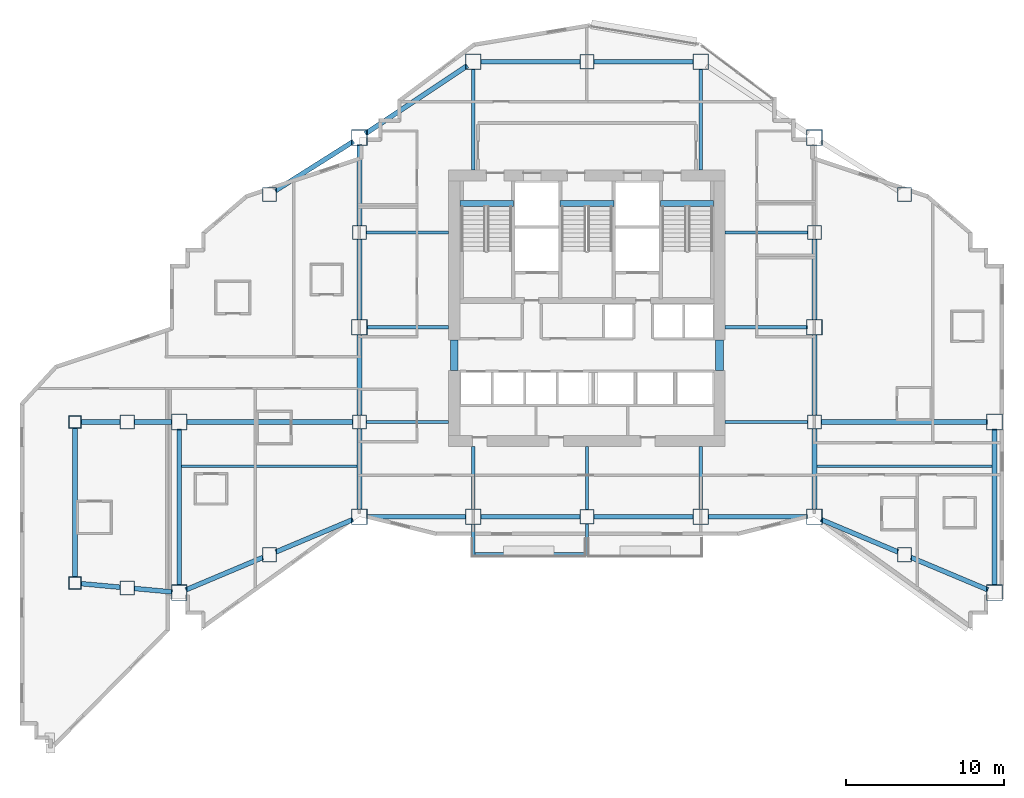
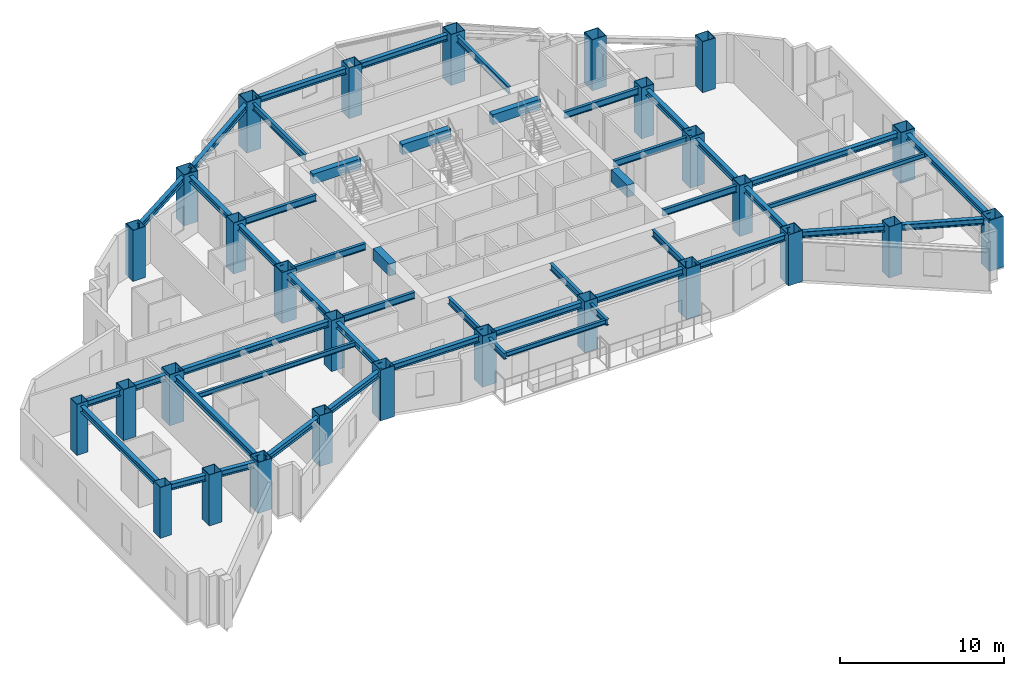
# One storey, part 1 of 14: 49 beams, 28 columns.
"""IFC4 building model written with IfcOpenShell, lengths in metres."""

from ifc_helpers import new_model, si_unit, direction, frame, origin, origin_2d, place, context, subcontext, project, spatial, rectangle, hollow_rectangle, i_section, extrude, material, material_profile, profile_set, type_object, element, save


model = new_model("IFC4")

# Units and contexts
model_context = context("Model", 3, precision=1e-05, world=origin(), true_north=direction((0.0, 1.0)))
body_context = subcontext(model_context, "Body", "Model", "MODEL_VIEW")
ifc_project = project(units=[si_unit("LENGTHUNIT", "METRE"), si_unit("AREAUNIT", "SQUARE_METRE"), si_unit("VOLUMEUNIT", "CUBIC_METRE"), si_unit("PLANEANGLEUNIT", "RADIAN"), si_unit("MASSUNIT", "GRAM", prefix="KILO")], contexts=[model_context])

# Site, building, storey
site_placement = place(None, origin())
site = spatial("IfcSite", under=ifc_project, at=site_placement, CompositionType="ELEMENT")
building_placement = place(site_placement, origin())
building = spatial("IfcBuilding", under=site, at=building_placement, Name="Haolan Belvedere Tower", CompositionType="ELEMENT")
storey_placement = place(building_placement, frame((0.0, 0.0, 109.800048828125)))
storey = spatial("IfcBuildingStorey", under=building, at=storey_placement, Name="L27", CompositionType="ELEMENT", Elevation=109.800048828125)

# Columns
ifc_material_1 = material(Name="Steel Q420GJC", Category="steel")
ifc_material_profile_1 = material_profile(ifc_material_1, hollow_rectangle(XDim=1.0, YDim=1.0, WallThickness=0.0380859375, at=origin_2d()), Name="Steel Q420GJC")
ifc_profile_set_1 = profile_set([ifc_material_profile_1], Name="Steel Q420GJC")
column_type_1 = type_object("IfcColumnType", Name="COL-BOX1000x1000x38", PredefinedType="COLUMN", material=ifc_profile_set_1)
for number, where, z_axis, x_axis, name in (
    (1, (24.0, 21.60009765625, 0.0), (0.0, 0.0, 1.0), (1.0, 0.0, 0.0), "L27 column MC-T3-SW (BOX1000x1000x38)"),
    (2, (24.0, 33.60009765625, 0.0), (0.0, 0.0, 1.0), (1.0, 0.0, 0.0), "L27 column MC-T3-MW (BOX1000x1000x38)"),
    (3, (24.0, 45.60009765625, 0.0), (0.0, 0.0, 1.0), (1.0, 0.0, 0.0), "L27 column MC-T3-NW (BOX1000x1000x38)"),
    (4, (52.800048828125, 21.60009765625, 0.0), (0.0, 0.0, 1.0), (1.0, 0.0, 0.0), "L27 column MC-T3-SE (BOX1000x1000x38)"),
    (5, (52.800048828125, 33.60009765625, 0.0), (0.0, 0.0, 1.0), (1.0, 0.0, 0.0), "L27 column MC-T3-ME (BOX1000x1000x38)"),
    (6, (52.800048828125, 45.60009765625, 0.0), (0.0, 0.0, 1.0), (1.0, 0.0, 0.0), "L27 column MC-T3-NE (BOX1000x1000x38)"),
    (7, (31.199951171875, 21.60009765625, 0.0), (0.0, 0.0, 1.0), (1.0, 0.0, 0.0), "L27 column MC-T3-S1 (BOX1000x1000x38)"),
    (8, (45.60009765625, 21.60009765625, 0.0), (0.0, 0.0, 1.0), (1.0, 0.0, 0.0), "L27 column MC-T3-S2 (BOX1000x1000x38)"),
    (9, (31.199951171875, 50.39990234375, 0.0), (0.0, 0.0, 1.0), (1.0, 0.0, 0.0), "L27 column MC-T3-N1 (BOX1000x1000x38)"),
    (10, (45.60009765625, 50.39990234375, 0.0), (0.0, 0.0, 1.0), (1.0, 0.0, 0.0), "L27 column MC-T3-N2 (BOX1000x1000x38)"),
    (11, (12.60009765625, 16.800048828125, 0.0), (0.0, 0.0, 1.0), (1.0, 0.0, 0.0), "L27 column MC-T2-SW (BOX1000x1000x38)"),
    (12, (12.60009765625, 27.60009765625, 0.0), (0.0, 0.0, 1.0), (1.0, 0.0, 0.0), "L27 column MC-T2-MW (BOX1000x1000x38)"),
    (13, (64.199951171875, 16.800048828125, 0.0), (0.0, 0.0, 1.0), (1.0, 0.0, 0.0), "L27 column MC-T4-SE (BOX1000x1000x38)"),
    (14, (64.199951171875, 27.60009765625, 0.0), (0.0, 0.0, 1.0), (1.0, 0.0, 0.0), "L27 column MC-T4-ME (BOX1000x1000x38)"),
):
    element("IfcColumn", number, at=place(storey_placement, frame(where, z_axis=z_axis, x_axis=x_axis)), inside=storey, type_object=column_type_1, Name=name, PredefinedType="COLUMN", context=body_context, shape_type="SweptSolid", body=[
        extrude(hollow_rectangle(XDim=1.0, YDim=1.0, WallThickness=0.0380859375, at=origin_2d()), origin(), (0.0, 0.0, 1.0), 3.800048828125),
    ])
ifc_material_2 = material(Name="Steel Q390GJC", Category="steel")
ifc_material_profile_2 = material_profile(ifc_material_2, hollow_rectangle(XDim=0.800048828125, YDim=0.800048828125, WallThickness=0.030029296875, at=origin_2d()), Name="Steel Q390GJC")
ifc_profile_set_2 = profile_set([ifc_material_profile_2], Name="Steel Q390GJC")
column_type_2 = type_object("IfcColumnType", Name="COL-BOX800x800x30", PredefinedType="COLUMN", material=ifc_profile_set_2)
for number, where, z_axis, x_axis, name in (
    (15, (6.0, 17.39990234375, 0.0), (0.0, 0.0, 1.0), (1.0, 0.0, 0.0), "L27 column MC-T1-SW (BOX800x800x30)"),
    (16, (6.0, 27.60009765625, 0.0), (0.0, 0.0, 1.0), (1.0, 0.0, 0.0), "L27 column MC-T1-NW (BOX800x800x30)"),
):
    element("IfcColumn", number, at=place(storey_placement, frame(where, z_axis=z_axis, x_axis=x_axis)), inside=storey, type_object=column_type_2, Name=name, PredefinedType="COLUMN", context=body_context, shape_type="SweptSolid", body=[
        extrude(hollow_rectangle(XDim=0.800048828125, YDim=0.800048828125, WallThickness=0.030029296875, at=origin_2d()), origin(), (0.0, 0.0, 1.0), 3.800048828125),
    ])
ifc_material_profile_3 = material_profile(ifc_material_2, hollow_rectangle(XDim=0.89990234375, YDim=0.89990234375, WallThickness=0.033935546875, at=origin_2d()), Name="Steel Q390GJC")
ifc_profile_set_3 = profile_set([ifc_material_profile_3], Name="Steel Q390GJC")
column_type_3 = type_object("IfcColumnType", Name="COL-BOX900x900x34", PredefinedType="COLUMN", material=ifc_profile_set_3)
for number, where, z_axis, x_axis, name in (
    (17, (24.0, 27.60009765625, 0.0), (0.0, 0.0, 1.0), (1.0, 0.0, 0.0), "L27 column TC-T3-W1 (BOX900x900x34)"),
    (18, (24.0, 39.60009765625, 0.0), (0.0, 0.0, 1.0), (1.0, 0.0, 0.0), "L27 column TC-T3-W2 (BOX900x900x34)"),
    (19, (52.800048828125, 27.60009765625, 0.0), (0.0, 0.0, 1.0), (1.0, 0.0, 0.0), "L27 column TC-T3-E1 (BOX900x900x34)"),
    (20, (52.800048828125, 39.60009765625, 0.0), (0.0, 0.0, 1.0), (1.0, 0.0, 0.0), "L27 column TC-T3-E2 (BOX900x900x34)"),
    (21, (38.39990234375, 21.60009765625, 0.0), (0.0, 0.0, 1.0), (1.0, 0.0, 0.0), "L27 column TC-T3-SM (BOX900x900x34)"),
    (22, (38.39990234375, 50.39990234375, 0.0), (0.0, 0.0, 1.0), (1.0, 0.0, 0.0), "L27 column TC-T3-NM (BOX900x900x34)"),
    (23, (18.300048828125, 19.199951171875, 0.0), (0.0, 0.0, 1.0), (1.0, 0.0, 0.0), "L27 column TC-T2-S1 (BOX900x900x34)"),
    (24, (18.300048828125, 42.0, 0.0), (0.0, 0.0, 1.0), (1.0, 0.0, 0.0), "L27 column TC-T2-N1 (BOX900x900x34)"),
    (25, (58.5, 19.199951171875, 0.0), (0.0, 0.0, 1.0), (1.0, 0.0, 0.0), "L27 column TC-T4-S1 (BOX900x900x34)"),
    (26, (58.5, 42.0, 0.0), (0.0, 0.0, 1.0), (1.0, 0.0, 0.0), "L27 column TC-T4-N1 (BOX900x900x34)"),
    (27, (9.300048828125, 17.10009765625, 0.0), (0.0, 0.0, 1.0), (1.0, 0.0, 0.0), "L27 column TC-T1-M1 (BOX900x900x34)"),
    (28, (9.300048828125, 27.60009765625, 0.0), (0.0, 0.0, 1.0), (1.0, 0.0, 0.0), "L27 column TC-T1-M2 (BOX900x900x34)"),
):
    element("IfcColumn", number, at=place(storey_placement, frame(where, z_axis=z_axis, x_axis=x_axis)), inside=storey, type_object=column_type_3, Name=name, PredefinedType="COLUMN", context=body_context, shape_type="SweptSolid", body=[
        extrude(hollow_rectangle(XDim=0.89990234375, YDim=0.89990234375, WallThickness=0.033935546875, at=origin_2d()), origin(), (0.0, 0.0, 1.0), 3.800048828125),
    ])

# Beams
ifc_material_3 = material(Name="Steel Q355B", Category="steel")
ifc_material_profile_4 = material_profile(ifc_material_3, i_section(OverallWidth=0.300048828125, OverallDepth=0.43994140625, WebThickness=0.010986328125, FlangeThickness=0.01806640625, FilletRadius=0.02392578125, at=origin_2d()), Name="Steel Q355B")
ifc_profile_set_4 = profile_set([ifc_material_profile_4], Name="Steel Q355B")
beam_type_1 = type_object("IfcBeamType", Name="BM-HM440x300x11x18", PredefinedType="SPANDREL", material=ifc_profile_set_4)
for number, where, z_axis, x_axis, name in (
    (29, (24.0, 22.050048828125, 3.3798828125), (0.0, 1.0, 0.0), (-1.0, 0.0, 0.0), "L27 spandrel girder MC-T3-SW-TC-T3-W1"),
    (30, (24.0, 28.050048828125, 3.3798828125), (0.0, 1.0, 0.0), (-1.0, 0.0, 0.0), "L27 spandrel girder TC-T3-W1-MC-T3-MW"),
    (31, (24.0, 34.050048828125, 3.3798828125), (0.0, 1.0, 0.0), (-1.0, 0.0, 0.0), "L27 spandrel girder MC-T3-MW-TC-T3-W2"),
    (32, (24.0, 40.050048828125, 3.3798828125), (0.0, 1.0, 0.0), (-1.0, 0.0, 0.0), "L27 spandrel girder TC-T3-W2-MC-T3-NW"),
    (33, (52.800048828125, 22.050048828125, 3.3798828125), (0.0, 1.0, 0.0), (-1.0, 0.0, 0.0), "L27 spandrel girder MC-T3-SE-TC-T3-E1"),
    (34, (52.800048828125, 28.050048828125, 3.3798828125), (0.0, 1.0, 0.0), (-1.0, 0.0, 0.0), "L27 spandrel girder TC-T3-E1-MC-T3-ME"),
    (35, (52.800048828125, 34.050048828125, 3.3798828125), (0.0, 1.0, 0.0), (-1.0, 0.0, 0.0), "L27 spandrel girder MC-T3-ME-TC-T3-E2"),
):
    element("IfcBeam", number, at=place(storey_placement, frame(where, z_axis=z_axis, x_axis=x_axis)), inside=storey, type_object=beam_type_1, Name=name, PredefinedType="SPANDREL", context=body_context, shape_type="SweptSolid", body=[
        extrude(i_section(OverallWidth=0.300048828125, OverallDepth=0.43994140625, WebThickness=0.010986328125, FlangeThickness=0.01806640625, FilletRadius=0.02392578125, at=origin_2d()), origin(), (0.0, 0.0, 1.0), 5.099853515625),
    ])
for number, where, z_axis, x_axis, name in (
    (36, (24.449951171875, 21.60009765625, 3.3798828125), (1.0, 0.0, 0.0), (0.0, 1.0, 0.0), "L27 spandrel girder MC-T3-SW-MC-T3-S1"),
    (37, (31.64990234375, 21.60009765625, 3.3798828125), (1.0, 0.0, 0.0), (0.0, 1.0, 0.0), "L27 spandrel girder MC-T3-S1-TC-T3-SM"),
):
    element("IfcBeam", number, at=place(storey_placement, frame(where, z_axis=z_axis, x_axis=x_axis)), inside=storey, type_object=beam_type_1, Name=name, PredefinedType="SPANDREL", context=body_context, shape_type="SweptSolid", body=[
        extrude(i_section(OverallWidth=0.300048828125, OverallDepth=0.43994140625, WebThickness=0.010986328125, FlangeThickness=0.01806640625, FilletRadius=0.02392578125, at=origin_2d()), origin(), (0.0, 0.0, 1.0), 6.300048828125),
    ])
beam_1_placement = place(storey_placement, frame((38.85009765625, 21.60009765625, 3.3798828125), z_axis=(1.0, 0.0, 0.0), x_axis=(0.0, 1.0, 0.0)))
element("IfcBeam", 38, at=beam_1_placement, inside=storey, type_object=beam_type_1, Name="L27 spandrel girder TC-T3-SM-MC-T3-S2", PredefinedType="SPANDREL", context=body_context, shape_type="SweptSolid", body=[
    extrude(i_section(OverallWidth=0.300048828125, OverallDepth=0.43994140625, WebThickness=0.010986328125, FlangeThickness=0.01806640625, FilletRadius=0.02392578125, at=origin_2d()), origin(), (0.0, 0.0, 1.0), 6.2998046875),
])
beam_2_placement = place(storey_placement, frame((46.050048828125, 21.60009765625, 3.3798828125), z_axis=(1.0, 0.0, 0.0), x_axis=(0.0, 1.0, 0.0)))
element("IfcBeam", 39, at=beam_2_placement, inside=storey, type_object=beam_type_1, Name="L27 spandrel girder MC-T3-S2-MC-T3-SE", PredefinedType="SPANDREL", context=body_context, shape_type="SweptSolid", body=[
    extrude(i_section(OverallWidth=0.300048828125, OverallDepth=0.43994140625, WebThickness=0.010986328125, FlangeThickness=0.01806640625, FilletRadius=0.02392578125, at=origin_2d()), origin(), (0.0, 0.0, 1.0), 6.300048828125),
])
beam_3_placement = place(storey_placement, frame((24.37451171875, 45.849609375, 3.3798828125), z_axis=(0.832050294338, 0.554700196225, 0.0), x_axis=(-0.554700196225, 0.832050294338, 0.0)))
element("IfcBeam", 40, at=beam_3_placement, inside=storey, type_object=beam_type_1, Name="L27 spandrel girder MC-T3-NW-MC-T3-N1", PredefinedType="SPANDREL", context=body_context, shape_type="SweptSolid", body=[
    extrude(i_section(OverallWidth=0.300048828125, OverallDepth=0.43994140625, WebThickness=0.010986328125, FlangeThickness=0.01806640625, FilletRadius=0.02392578125, at=origin_2d()), origin(), (0.0, 0.0, 1.0), 7.75341796875),
])
beam_4_placement = place(storey_placement, frame((31.64990234375, 50.39990234375, 3.3798828125), z_axis=(1.0, 0.0, 0.0), x_axis=(0.0, 1.0, 0.0)))
element("IfcBeam", 41, at=beam_4_placement, inside=storey, type_object=beam_type_1, Name="L27 spandrel girder MC-T3-N1-TC-T3-NM", PredefinedType="SPANDREL", context=body_context, shape_type="SweptSolid", body=[
    extrude(i_section(OverallWidth=0.300048828125, OverallDepth=0.43994140625, WebThickness=0.010986328125, FlangeThickness=0.01806640625, FilletRadius=0.02392578125, at=origin_2d()), origin(), (0.0, 0.0, 1.0), 6.300048828125),
])
beam_5_placement = place(storey_placement, frame((38.85009765625, 50.39990234375, 3.3798828125), z_axis=(1.0, 0.0, 0.0), x_axis=(0.0, 1.0, 0.0)))
element("IfcBeam", 42, at=beam_5_placement, inside=storey, type_object=beam_type_1, Name="L27 spandrel girder TC-T3-NM-MC-T3-N2", PredefinedType="SPANDREL", context=body_context, shape_type="SweptSolid", body=[
    extrude(i_section(OverallWidth=0.300048828125, OverallDepth=0.43994140625, WebThickness=0.010986328125, FlangeThickness=0.01806640625, FilletRadius=0.02392578125, at=origin_2d()), origin(), (0.0, 0.0, 1.0), 6.2998046875),
])
beam_6_placement = place(storey_placement, frame((12.60009765625, 17.25, 3.3798828125), z_axis=(0.0, 1.0, 0.0), x_axis=(-1.0, 0.0, 0.0)))
element("IfcBeam", 43, at=beam_6_placement, inside=storey, type_object=beam_type_1, Name="L27 spandrel girder MC-T2-SW-MC-T2-MW", PredefinedType="SPANDREL", context=body_context, shape_type="SweptSolid", body=[
    extrude(i_section(OverallWidth=0.300048828125, OverallDepth=0.43994140625, WebThickness=0.010986328125, FlangeThickness=0.01806640625, FilletRadius=0.02392578125, at=origin_2d()), origin(), (0.0, 0.0, 1.0), 9.89990234375),
])
beam_7_placement = place(storey_placement, frame((13.0146484375, 16.974609375, 3.3798828125), z_axis=(0.921635375138, 0.388057000058, 0.0), x_axis=(-0.388057000058, 0.921635375138, 0.0)))
element("IfcBeam", 44, at=beam_7_placement, inside=storey, type_object=beam_type_1, Name="L27 spandrel girder MC-T2-SW-TC-T2-S1", PredefinedType="SPANDREL", context=body_context, shape_type="SweptSolid", body=[
    extrude(i_section(OverallWidth=0.300048828125, OverallDepth=0.43994140625, WebThickness=0.010986328125, FlangeThickness=0.01806640625, FilletRadius=0.02392578125, at=origin_2d()), origin(), (0.0, 0.0, 1.0), 5.28466796875),
])
beam_8_placement = place(storey_placement, frame((18.71484375, 19.37451171875, 3.3798828125), z_axis=(0.92162841793, 0.388073523014, 0.0), x_axis=(-0.388073523014, 0.92162841793, 0.0)))
element("IfcBeam", 45, at=beam_8_placement, inside=storey, type_object=beam_type_1, Name="L27 spandrel girder TC-T2-S1-MC-T3-SW", PredefinedType="SPANDREL", context=body_context, shape_type="SweptSolid", body=[
    extrude(i_section(OverallWidth=0.300048828125, OverallDepth=0.43994140625, WebThickness=0.010986328125, FlangeThickness=0.01806640625, FilletRadius=0.02392578125, at=origin_2d()), origin(), (0.0, 0.0, 1.0), 5.284423828125),
])
beam_9_placement = place(storey_placement, frame((18.680419921875, 42.240234375, 3.3798828125), z_axis=(0.845497840649, 0.533978839898, 0.0), x_axis=(-0.533978839898, 0.845497840649, 0.0)))
element("IfcBeam", 46, at=beam_9_placement, inside=storey, type_object=beam_type_1, Name="L27 spandrel girder TC-T2-N1-MC-T3-NW", PredefinedType="SPANDREL", context=body_context, shape_type="SweptSolid", body=[
    extrude(i_section(OverallWidth=0.300048828125, OverallDepth=0.43994140625, WebThickness=0.010986328125, FlangeThickness=0.01806640625, FilletRadius=0.02392578125, at=origin_2d()), origin(), (0.0, 0.0, 1.0), 5.841796875),
])
beam_10_placement = place(storey_placement, frame((13.050048828125, 27.60009765625, 3.3798828125), z_axis=(1.0, 0.0, 0.0), x_axis=(0.0, 1.0, 0.0)))
element("IfcBeam", 47, at=beam_10_placement, inside=storey, type_object=beam_type_1, Name="L27 spandrel girder MC-T2-MW-TC-T3-W1", PredefinedType="SPANDREL", context=body_context, shape_type="SweptSolid", body=[
    extrude(i_section(OverallWidth=0.300048828125, OverallDepth=0.43994140625, WebThickness=0.010986328125, FlangeThickness=0.01806640625, FilletRadius=0.02392578125, at=origin_2d()), origin(), (0.0, 0.0, 1.0), 10.5),
])
beam_11_placement = place(storey_placement, frame((64.199951171875, 17.25, 3.3798828125), z_axis=(0.0, 1.0, 0.0), x_axis=(-1.0, 0.0, 0.0)))
element("IfcBeam", 48, at=beam_11_placement, inside=storey, type_object=beam_type_1, Name="L27 spandrel girder MC-T4-SE-MC-T4-ME", PredefinedType="SPANDREL", context=body_context, shape_type="SweptSolid", body=[
    extrude(i_section(OverallWidth=0.300048828125, OverallDepth=0.43994140625, WebThickness=0.010986328125, FlangeThickness=0.01806640625, FilletRadius=0.02392578125, at=origin_2d()), origin(), (0.0, 0.0, 1.0), 9.89990234375),
])
for number, where, z_axis, x_axis, name in (
    (49, (53.21484375, 21.42529296875, 3.3798828125), (0.92162841793, -0.388073523014, 0.0), (0.388073523014, 0.92162841793, 0.0), "L27 spandrel girder MC-T3-SE-TC-T4-S1"),
    (50, (58.914794921875, 19.025390625, 3.3798828125), (0.92162841793, -0.388073523014, 0.0), (0.388073523014, 0.92162841793, 0.0), "L27 spandrel girder TC-T4-S1-MC-T4-SE"),
):
    element("IfcBeam", number, at=place(storey_placement, frame(where, z_axis=z_axis, x_axis=x_axis)), inside=storey, type_object=beam_type_1, Name=name, PredefinedType="SPANDREL", context=body_context, shape_type="SweptSolid", body=[
        extrude(i_section(OverallWidth=0.300048828125, OverallDepth=0.43994140625, WebThickness=0.010986328125, FlangeThickness=0.01806640625, FilletRadius=0.02392578125, at=origin_2d()), origin(), (0.0, 0.0, 1.0), 5.284423828125),
    ])
beam_12_placement = place(storey_placement, frame((53.25, 27.60009765625, 3.3798828125), z_axis=(1.0, 0.0, 0.0), x_axis=(0.0, 1.0, 0.0)))
element("IfcBeam", 51, at=beam_12_placement, inside=storey, type_object=beam_type_1, Name="L27 spandrel girder TC-T3-E1-MC-T4-ME", PredefinedType="SPANDREL", context=body_context, shape_type="SweptSolid", body=[
    extrude(i_section(OverallWidth=0.300048828125, OverallDepth=0.43994140625, WebThickness=0.010986328125, FlangeThickness=0.01806640625, FilletRadius=0.02392578125, at=origin_2d()), origin(), (0.0, 0.0, 1.0), 10.5),
])
beam_13_placement = place(storey_placement, frame((6.0, 17.800048828125, 3.3798828125), z_axis=(0.0, 1.0, 0.0), x_axis=(-1.0, 0.0, 0.0)))
element("IfcBeam", 52, at=beam_13_placement, inside=storey, type_object=beam_type_1, Name="L27 spandrel girder MC-T1-SW-MC-T1-NW", PredefinedType="SPANDREL", context=body_context, shape_type="SweptSolid", body=[
    extrude(i_section(OverallWidth=0.300048828125, OverallDepth=0.43994140625, WebThickness=0.010986328125, FlangeThickness=0.01806640625, FilletRadius=0.02392578125, at=origin_2d()), origin(), (0.0, 0.0, 1.0), 9.39990234375),
])
beam_14_placement = place(storey_placement, frame((6.3984375, 17.36376953125, 3.3798828125), z_axis=(0.995889143855, -0.090580423672, 0.0), x_axis=(0.090580423672, 0.995889143855, 0.0)))
element("IfcBeam", 53, at=beam_14_placement, inside=storey, type_object=beam_type_1, Name="L27 spandrel girder MC-T1-SW-TC-T1-M1", PredefinedType="SPANDREL", context=body_context, shape_type="SweptSolid", body=[
    extrude(i_section(OverallWidth=0.300048828125, OverallDepth=0.43994140625, WebThickness=0.010986328125, FlangeThickness=0.01806640625, FilletRadius=0.02392578125, at=origin_2d()), origin(), (0.0, 0.0, 1.0), 2.46337890625),
])
beam_15_placement = place(storey_placement, frame((9.748046875, 17.059326171875, 3.3798828125), z_axis=(0.9958940355, -0.090526626221, 0.0), x_axis=(0.090526626221, 0.9958940355, 0.0)))
element("IfcBeam", 54, at=beam_15_placement, inside=storey, type_object=beam_type_1, Name="L27 spandrel girder TC-T1-M1-MC-T2-SW", PredefinedType="SPANDREL", context=body_context, shape_type="SweptSolid", body=[
    extrude(i_section(OverallWidth=0.300048828125, OverallDepth=0.43994140625, WebThickness=0.010986328125, FlangeThickness=0.01806640625, FilletRadius=0.02392578125, at=origin_2d()), origin(), (0.0, 0.0, 1.0), 2.413818359375),
])
beam_16_placement = place(storey_placement, frame((6.39990234375, 27.60009765625, 3.3798828125), z_axis=(1.0, 0.0, 0.0), x_axis=(0.0, 1.0, 0.0)))
element("IfcBeam", 55, at=beam_16_placement, inside=storey, type_object=beam_type_1, Name="L27 spandrel girder MC-T1-NW-TC-T1-M2", PredefinedType="SPANDREL", context=body_context, shape_type="SweptSolid", body=[
    extrude(i_section(OverallWidth=0.300048828125, OverallDepth=0.43994140625, WebThickness=0.010986328125, FlangeThickness=0.01806640625, FilletRadius=0.02392578125, at=origin_2d()), origin(), (0.0, 0.0, 1.0), 2.4501953125),
])
beam_17_placement = place(storey_placement, frame((9.75, 27.60009765625, 3.3798828125), z_axis=(1.0, 0.0, 0.0), x_axis=(0.0, 1.0, 0.0)))
element("IfcBeam", 56, at=beam_17_placement, inside=storey, type_object=beam_type_1, Name="L27 spandrel girder TC-T1-M2-MC-T2-MW", PredefinedType="SPANDREL", context=body_context, shape_type="SweptSolid", body=[
    extrude(i_section(OverallWidth=0.300048828125, OverallDepth=0.43994140625, WebThickness=0.010986328125, FlangeThickness=0.01806640625, FilletRadius=0.02392578125, at=origin_2d()), origin(), (0.0, 0.0, 1.0), 2.39990234375),
])
ifc_material_profile_5 = material_profile(ifc_material_3, i_section(OverallWidth=0.175048828125, OverallDepth=0.35009765625, WebThickness=0.007080078125, FlangeThickness=0.010986328125, FilletRadius=0.012939453125, at=origin_2d()), Name="Steel Q355B")
ifc_profile_set_5 = profile_set([ifc_material_profile_5], Name="Steel Q355B")
beam_type_2 = type_object("IfcBeamType", Name="BM-HN350x175x7x11", PredefinedType="JOIST", material=ifc_profile_set_5)
for number, where, z_axis, x_axis, name in (
    (57, (12.75, 24.800048828125, 3.425048828125), (1.0, 0.0, 0.0), (0.0, 1.0, 0.0), "L27 west wing floor joist 1"),
    (58, (52.949951171875, 24.800048828125, 3.425048828125), (1.0, 0.0, 0.0), (0.0, 1.0, 0.0), "L27 east wing floor joist 1"),
):
    element("IfcBeam", number, at=place(storey_placement, frame(where, z_axis=z_axis, x_axis=x_axis)), inside=storey, type_object=beam_type_2, Name=name, PredefinedType="JOIST", context=body_context, shape_type="SweptSolid", body=[
        extrude(i_section(OverallWidth=0.175048828125, OverallDepth=0.35009765625, WebThickness=0.007080078125, FlangeThickness=0.010986328125, FilletRadius=0.012939453125, at=origin_2d()), origin(), (0.0, 0.0, 1.0), 11.10009765625),
    ])
beam_18_placement = place(storey_placement, frame((31.300048828125, 19.239990234375, 3.39501953125), z_axis=(1.0, 0.0, 0.0), x_axis=(0.0, 1.0, 0.0)))
element("IfcBeam", 59, at=beam_18_placement, inside=storey, type_object=beam_type_2, Name="L28 tree-balcony front trimmer beam 1", PredefinedType="BEAM", context=body_context, shape_type="SweptSolid", body=[
    extrude(i_section(OverallWidth=0.175048828125, OverallDepth=0.35009765625, WebThickness=0.007080078125, FlangeThickness=0.010986328125, FilletRadius=0.012939453125, at=origin_2d()), origin(), (0.0, 0.0, 1.0), 7.0),
])
ifc_material_profile_6 = material_profile(ifc_material_3, i_section(OverallWidth=0.199951171875, OverallDepth=0.449951171875, WebThickness=0.009033203125, FlangeThickness=0.013916015625, FilletRadius=0.01611328125, at=origin_2d()), Name="Steel Q355B")
ifc_profile_set_6 = profile_set([ifc_material_profile_6], Name="Steel Q355B")
beam_type_3 = type_object("IfcBeamType", Name="BM-HN450x200x9x14", PredefinedType="BEAM", material=ifc_profile_set_6)
beam_19_placement = place(storey_placement, frame((31.199951171875, 21.10009765625, 3.344970703125), z_axis=(0.0, -1.0, 0.0), x_axis=(1.0, 0.0, 0.0)))
element("IfcBeam", 60, at=beam_19_placement, inside=storey, type_object=beam_type_3, Name="L28 tree-balcony column cantilever MC-T3-S1", PredefinedType="BEAM", context=body_context, shape_type="SweptSolid", body=[
    extrude(i_section(OverallWidth=0.199951171875, OverallDepth=0.449951171875, WebThickness=0.009033203125, FlangeThickness=0.013916015625, FilletRadius=0.01611328125, at=origin_2d()), origin(), (0.0, 0.0, 1.0), 1.960205078125),
])
beam_20_placement = place(storey_placement, frame((38.39990234375, 21.14990234375, 3.344970703125), z_axis=(0.0, -1.0, 0.0), x_axis=(1.0, 0.0, 0.0)))
element("IfcBeam", 61, at=beam_20_placement, inside=storey, type_object=beam_type_3, Name="L28 tree-balcony column cantilever TC-T3-SM", PredefinedType="BEAM", context=body_context, shape_type="SweptSolid", body=[
    extrude(i_section(OverallWidth=0.199951171875, OverallDepth=0.449951171875, WebThickness=0.009033203125, FlangeThickness=0.013916015625, FilletRadius=0.01611328125, at=origin_2d()), origin(), (0.0, 0.0, 1.0), 2.010009765625),
])
ifc_material_profile_7 = material_profile(ifc_material_3, i_section(OverallWidth=0.199951171875, OverallDepth=0.5, WebThickness=0.010009765625, FlangeThickness=0.01611328125, FilletRadius=0.02001953125, at=origin_2d()), Name="Steel Q355B")
ifc_profile_set_7 = profile_set([ifc_material_profile_7], Name="Steel Q355B")
beam_type_4 = type_object("IfcBeamType", Name="BM-HN500x200x10x16", PredefinedType="BEAM", material=ifc_profile_set_7)
for number, where, z_axis, x_axis, name in (
    (62, (24.449951171875, 33.60009765625, 3.349853515625), (1.0, 0.0, 0.0), (0.0, 1.0, 0.0), "L27 core tie beam from MC-T3-MW"),
    (63, (24.449951171875, 27.60009765625, 3.349853515625), (1.0, 0.0, 0.0), (0.0, 1.0, 0.0), "L27 core tie beam from TC-T3-W1"),
    (64, (24.449951171875, 39.60009765625, 3.349853515625), (1.0, 0.0, 0.0), (0.0, 1.0, 0.0), "L27 core tie beam from TC-T3-W2"),
):
    element("IfcBeam", number, at=place(storey_placement, frame(where, z_axis=z_axis, x_axis=x_axis)), inside=storey, type_object=beam_type_4, Name=name, PredefinedType="BEAM", context=body_context, shape_type="SweptSolid", body=[
        extrude(i_section(OverallWidth=0.199951171875, OverallDepth=0.5, WebThickness=0.010009765625, FlangeThickness=0.01611328125, FilletRadius=0.02001953125, at=origin_2d()), origin(), (0.0, 0.0, 1.0), 5.199951171875),
    ])
for number, where, z_axis, x_axis, name in (
    (65, (52.35009765625, 33.60009765625, 3.349853515625), (-1.0, 0.0, 0.0), (0.0, -1.0, 0.0), "L27 core tie beam from MC-T3-ME"),
    (66, (52.35009765625, 27.60009765625, 3.349853515625), (-1.0, 0.0, 0.0), (0.0, -1.0, 0.0), "L27 core tie beam from TC-T3-E1"),
    (67, (52.35009765625, 39.60009765625, 3.349853515625), (-1.0, 0.0, 0.0), (0.0, -1.0, 0.0), "L27 core tie beam from TC-T3-E2"),
):
    element("IfcBeam", number, at=place(storey_placement, frame(where, z_axis=z_axis, x_axis=x_axis)), inside=storey, type_object=beam_type_4, Name=name, PredefinedType="BEAM", context=body_context, shape_type="SweptSolid", body=[
        extrude(i_section(OverallWidth=0.199951171875, OverallDepth=0.5, WebThickness=0.010009765625, FlangeThickness=0.01611328125, FilletRadius=0.02001953125, at=origin_2d()), origin(), (0.0, 0.0, 1.0), 5.2001953125),
    ])
for number, where, z_axis, x_axis, name in (
    (68, (31.199951171875, 22.050048828125, 3.349853515625), (0.0, 1.0, 0.0), (-1.0, 0.0, 0.0), "L27 core tie beam from MC-T3-S1"),
    (69, (38.39990234375, 22.050048828125, 3.349853515625), (0.0, 1.0, 0.0), (-1.0, 0.0, 0.0), "L27 core tie beam from TC-T3-SM"),
    (70, (45.60009765625, 22.050048828125, 3.349853515625), (0.0, 1.0, 0.0), (-1.0, 0.0, 0.0), "L27 core tie beam from MC-T3-S2"),
):
    element("IfcBeam", number, at=place(storey_placement, frame(where, z_axis=z_axis, x_axis=x_axis)), inside=storey, type_object=beam_type_4, Name=name, PredefinedType="BEAM", context=body_context, shape_type="SweptSolid", body=[
        extrude(i_section(OverallWidth=0.199951171875, OverallDepth=0.5, WebThickness=0.010009765625, FlangeThickness=0.01611328125, FilletRadius=0.02001953125, at=origin_2d()), origin(), (0.0, 0.0, 1.0), 4.0),
    ])
for number, where, z_axis, x_axis, name in (
    (71, (31.199951171875, 49.949951171875, 3.349853515625), (0.0, -1.0, 0.0), (1.0, 0.0, 0.0), "L27 core tie beam from MC-T3-N1"),
    (72, (45.60009765625, 49.949951171875, 3.349853515625), (0.0, -1.0, 0.0), (1.0, 0.0, 0.0), "L27 core tie beam from MC-T3-N2"),
):
    element("IfcBeam", number, at=place(storey_placement, frame(where, z_axis=z_axis, x_axis=x_axis)), inside=storey, type_object=beam_type_4, Name=name, PredefinedType="BEAM", context=body_context, shape_type="SweptSolid", body=[
        extrude(i_section(OverallWidth=0.199951171875, OverallDepth=0.5, WebThickness=0.010009765625, FlangeThickness=0.01611328125, FilletRadius=0.02001953125, at=origin_2d()), origin(), (0.0, 0.0, 1.0), 6.39990234375),
    ])
ifc_material_4 = material(Name="Concrete C50/60", Category="concrete")
ifc_material_profile_8 = material_profile(ifc_material_4, rectangle(XDim=0.39990234375, YDim=0.75, at=origin_2d()), Name="Concrete C50/60")
ifc_profile_set_8 = profile_set([ifc_material_profile_8], Name="Concrete C50/60")
beam_type_5 = type_object("IfcBeamType", Name="BM-RC400x750", PredefinedType="T_BEAM", material=ifc_profile_set_8)
beam_21_placement = place(storey_placement, frame((30.3798828125, 41.429931640625, 3.425048828125), z_axis=(1.0, 0.0, 0.0), x_axis=(0.0, 1.0, 0.0)))
element("IfcBeam", 73, at=beam_21_placement, inside=storey, type_object=beam_type_5, Name="L28 stair ST1 RC header trimmer beam", PredefinedType="BEAM", context=body_context, shape_type="SweptSolid", body=[
    extrude(rectangle(XDim=0.39990234375, YDim=0.75, at=origin_2d()), origin(), (0.0, 0.0, 1.0), 3.360107421875),
])
beam_22_placement = place(storey_placement, frame((36.699951171875, 41.429931640625, 3.425048828125), z_axis=(1.0, 0.0, 0.0), x_axis=(0.0, 1.0, 0.0)))
element("IfcBeam", 74, at=beam_22_placement, inside=storey, type_object=beam_type_5, Name="L28 stair ST3 RC header trimmer beam", PredefinedType="BEAM", context=body_context, shape_type="SweptSolid", body=[
    extrude(rectangle(XDim=0.39990234375, YDim=0.75, at=origin_2d()), origin(), (0.0, 0.0, 1.0), 3.400146484375),
])
beam_23_placement = place(storey_placement, frame((43.06005859375, 41.429931640625, 3.425048828125), z_axis=(1.0, 0.0, 0.0), x_axis=(0.0, 1.0, 0.0)))
element("IfcBeam", 75, at=beam_23_placement, inside=storey, type_object=beam_type_5, Name="L28 stair ST2 RC header trimmer beam", PredefinedType="BEAM", context=body_context, shape_type="SweptSolid", body=[
    extrude(rectangle(XDim=0.39990234375, YDim=0.75, at=origin_2d()), origin(), (0.0, 0.0, 1.0), 3.35986328125),
])
ifc_material_5 = material(Name="Concrete C60/75", Category="concrete")
ifc_material_profile_9 = material_profile(ifc_material_5, rectangle(XDim=0.5, YDim=0.89990234375, at=origin_2d()), Name="Concrete C60/75")
ifc_profile_set_9 = profile_set([ifc_material_profile_9], Name="Concrete C60/75")
beam_type_6 = type_object("IfcBeamType", Name="BM-RC500x900", PredefinedType="LINTEL", material=ifc_profile_set_9)
for number, where, z_axis, x_axis, name in (
    (76, (30.0, 30.85009765625, 3.14990234375), (0.0, 1.0, 0.0), (-1.0, 0.0, 0.0), "L27 west core coupling beam CB-01"),
    (77, (46.800048828125, 30.85009765625, 3.14990234375), (0.0, 1.0, 0.0), (-1.0, 0.0, 0.0), "L27 east core coupling beam CB-01"),
):
    element("IfcBeam", number, at=place(storey_placement, frame(where, z_axis=z_axis, x_axis=x_axis)), inside=storey, type_object=beam_type_6, Name=name, PredefinedType="LINTEL", context=body_context, shape_type="SweptSolid", body=[
        extrude(rectangle(XDim=0.5, YDim=0.89990234375, at=origin_2d()), origin(), (0.0, 0.0, 1.0), 1.949951171875),
    ])

save(model, "model.ifc")
